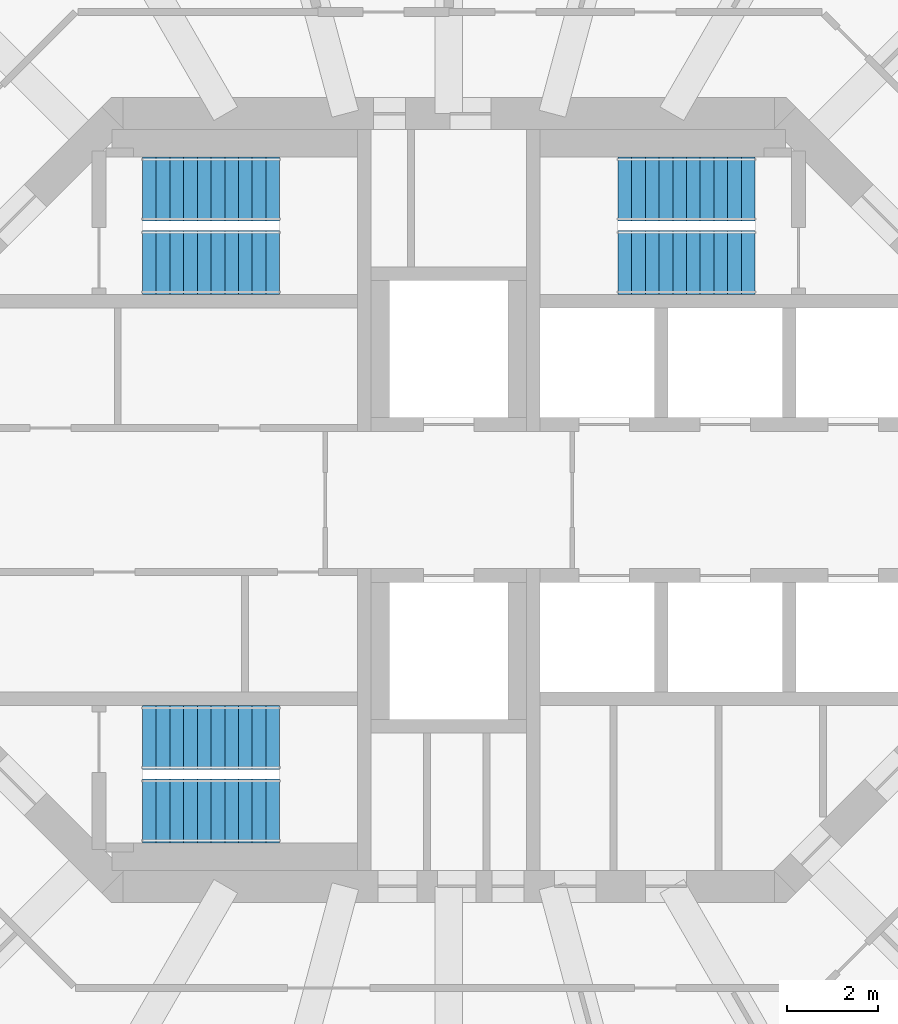
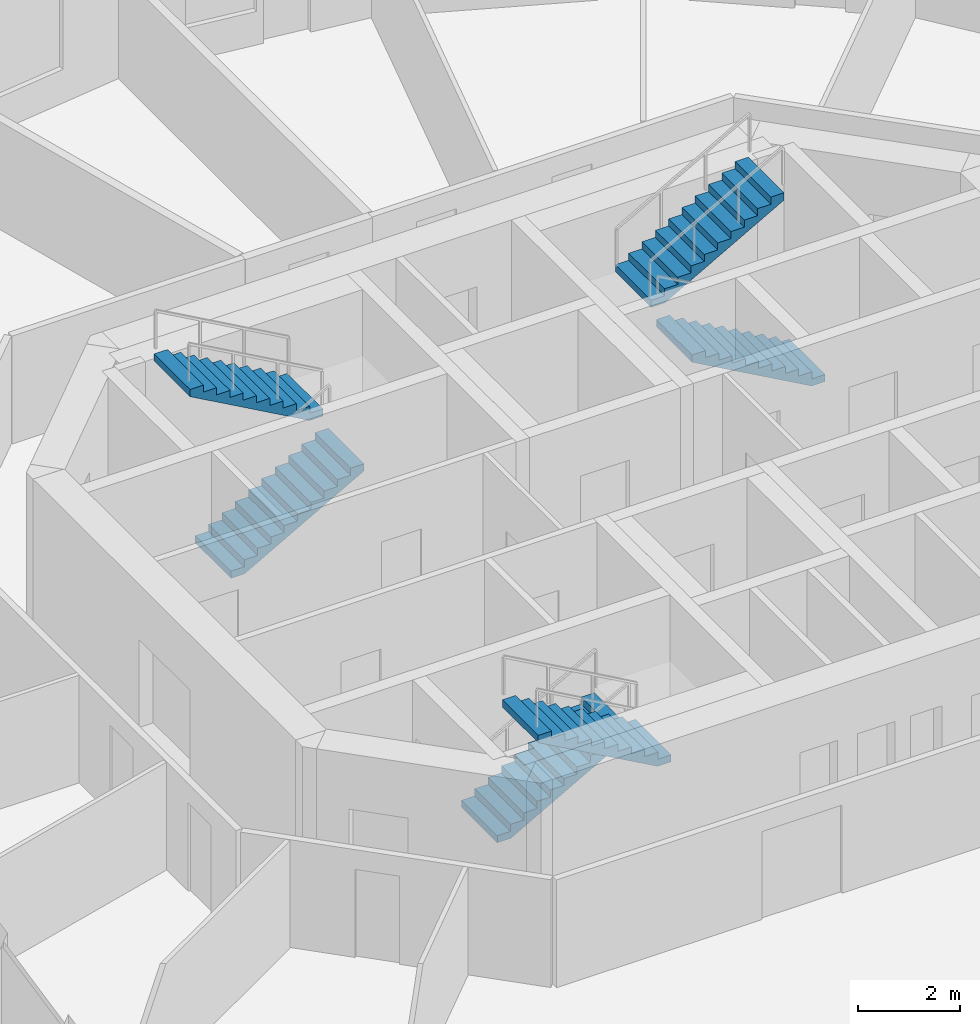
# One storey, part 7 of 9: 6 stair flights, 3 elements without a shape of their own.
"""IFC4 building model written with IfcOpenShell, lengths in metres."""

from ifc_helpers import new_model, si_unit, direction, frame, origin, place, context, subcontext, project, spatial, polyline, outline, extrude, material, type_object, element, aggregate, save


model = new_model("IFC4")

# Units and contexts
model_context = context("Model", 3, precision=1e-05, world=origin(), true_north=direction((0.0, 1.0)))
body_context = subcontext(model_context, "Body", "Model", "MODEL_VIEW")
ifc_project = project(units=[si_unit("LENGTHUNIT", "METRE"), si_unit("AREAUNIT", "SQUARE_METRE"), si_unit("VOLUMEUNIT", "CUBIC_METRE"), si_unit("PLANEANGLEUNIT", "RADIAN"), si_unit("MASSUNIT", "GRAM", prefix="KILO")], contexts=[model_context])

# Site, building, storey
site_placement = place(None, origin())
site = spatial("IfcSite", under=ifc_project, at=site_placement, CompositionType="ELEMENT")
building_placement = place(site_placement, origin())
building = spatial("IfcBuilding", under=site, at=building_placement, Name="Torre Triforio", CompositionType="ELEMENT")
storey_placement = place(building_placement, frame((0.0, 0.0, 226.10009765625)))
storey = spatial("IfcBuildingStorey", under=building, at=storey_placement, Name="L51", CompositionType="ELEMENT", Elevation=226.10009765625)

# Stair, stair flights
ifc_material = material(Name="Concrete C40", Category="concrete")
stair_type = type_object("IfcStairType", Name="STAIR HALF-TURN", PredefinedType="HALF_TURN_STAIR", material=ifc_material)
stair_1_placement = place(storey_placement, origin())
stair_1 = element("IfcStair", 1, at=stair_1_placement, inside=storey, type_object=stair_type, Name="Exit stair 1", PredefinedType="HALF_TURN_STAIR")
stair_flight_type = type_object("IfcStairFlightType", Name="STAIR FLIGHT 1400", PredefinedType="STRAIGHT", material=ifc_material)
stair_flight_1_placement = place(storey_placement, frame((-6.699951171875, 5.199951171875, 0.0), z_axis=(0.0, 0.0, 1.0), x_axis=(1.0, 0.0, 0.0)))
stair_flight_1 = element("IfcStairFlight", 2, at=stair_flight_1_placement, type_object=stair_flight_type, Name="ST1 flight 1", NumberOfRisers=11, NumberOfTreads=10, PredefinedType="STRAIGHT", RiserHeight=0.168181818, TreadLength=0.3, context=body_context, shape_type="SweptSolid", body=[
    extrude(outline(polyline([(0.0, 0.0), (0.0, 0.168212890625), (0.300048828125, 0.168212890625), (0.300048828125, 0.33642578125), (0.60009765625, 0.33642578125), (0.60009765625, 0.504638671875), (0.89990234375, 0.504638671875), (0.89990234375, 0.672607421875), (1.199951171875, 0.672607421875), (1.199951171875, 0.8408203125), (1.5, 0.8408203125), (1.5, 1.009033203125), (1.800048828125, 1.009033203125), (1.800048828125, 1.17724609375), (2.10009765625, 1.17724609375), (2.10009765625, 1.345458984375), (2.39990234375, 1.345458984375), (2.39990234375, 1.513671875), (2.699951171875, 1.513671875), (2.699951171875, 1.681884765625), (3.0, 1.681884765625), (3.0, 1.85009765625), (3.0, 1.510009765625), (0.306640625, 0.0), (0.0, 0.0)])), frame((0.0, 0.699951171875, 0.0), z_axis=(0.0, -1.0, 0.0), x_axis=(1.0, 0.0, 0.0)), (0.0, 0.0, 1.0), 1.39990234375),
])
stair_flight_2_placement = place(storey_placement, frame((-3.699951171875, 6.800048828125, 1.849853515625), z_axis=(0.0, 0.0, 1.0), x_axis=(-1.0, 0.0, 0.0)))
stair_flight_2 = element("IfcStairFlight", 3, at=stair_flight_2_placement, type_object=stair_flight_type, Name="ST1 flight 2", NumberOfRisers=11, NumberOfTreads=10, PredefinedType="STRAIGHT", RiserHeight=0.168181818, TreadLength=0.3, context=body_context, shape_type="SweptSolid", body=[
    extrude(outline(polyline([(0.0, 0.0), (0.0, 0.168212890625), (0.300048828125, 0.168212890625), (0.300048828125, 0.33642578125), (0.60009765625, 0.33642578125), (0.60009765625, 0.504638671875), (0.89990234375, 0.504638671875), (0.89990234375, 0.672607421875), (1.199951171875, 0.672607421875), (1.199951171875, 0.8408203125), (1.5, 0.8408203125), (1.5, 1.009033203125), (1.800048828125, 1.009033203125), (1.800048828125, 1.17724609375), (2.10009765625, 1.17724609375), (2.10009765625, 1.345458984375), (2.39990234375, 1.345458984375), (2.39990234375, 1.513671875), (2.699951171875, 1.513671875), (2.699951171875, 1.681884765625), (3.0, 1.681884765625), (3.0, 1.85009765625), (3.0, 1.510009765625), (0.306640625, 0.0), (0.0, 0.0)])), frame((0.0, 0.699951171875, 0.0), z_axis=(0.0, -1.0, 0.0), x_axis=(1.0, 0.0, 0.0)), (0.0, 0.0, 1.0), 1.39990234375),
])
aggregate(stair_1, [stair_flight_1, stair_flight_2])

stair_2_placement = place(storey_placement, origin())
stair_2 = element("IfcStair", 4, at=stair_2_placement, inside=storey, type_object=stair_type, Name="Exit stair 2", PredefinedType="HALF_TURN_STAIR")
stair_flight_3_placement = place(storey_placement, frame((6.699951171875, 5.199951171875, 0.0), z_axis=(0.0, 0.0, 1.0), x_axis=(-1.0, 0.0, 0.0)))
stair_flight_3 = element("IfcStairFlight", 5, at=stair_flight_3_placement, type_object=stair_flight_type, Name="ST2 flight 1", NumberOfRisers=11, NumberOfTreads=10, PredefinedType="STRAIGHT", RiserHeight=0.168181818, TreadLength=0.3, context=body_context, shape_type="SweptSolid", body=[
    extrude(outline(polyline([(0.0, 0.0), (0.0, 0.168212890625), (0.300048828125, 0.168212890625), (0.300048828125, 0.33642578125), (0.60009765625, 0.33642578125), (0.60009765625, 0.504638671875), (0.89990234375, 0.504638671875), (0.89990234375, 0.672607421875), (1.199951171875, 0.672607421875), (1.199951171875, 0.8408203125), (1.5, 0.8408203125), (1.5, 1.009033203125), (1.800048828125, 1.009033203125), (1.800048828125, 1.17724609375), (2.10009765625, 1.17724609375), (2.10009765625, 1.345458984375), (2.39990234375, 1.345458984375), (2.39990234375, 1.513671875), (2.699951171875, 1.513671875), (2.699951171875, 1.681884765625), (3.0, 1.681884765625), (3.0, 1.85009765625), (3.0, 1.510009765625), (0.306640625, 0.0), (0.0, 0.0)])), frame((0.0, 0.699951171875, 0.0), z_axis=(0.0, -1.0, 0.0), x_axis=(1.0, 0.0, 0.0)), (0.0, 0.0, 1.0), 1.39990234375),
])
stair_flight_4_placement = place(storey_placement, frame((3.699951171875, 6.800048828125, 1.849853515625), z_axis=(0.0, 0.0, 1.0), x_axis=(1.0, 0.0, 0.0)))
stair_flight_4 = element("IfcStairFlight", 6, at=stair_flight_4_placement, type_object=stair_flight_type, Name="ST2 flight 2", NumberOfRisers=11, NumberOfTreads=10, PredefinedType="STRAIGHT", RiserHeight=0.168181818, TreadLength=0.3, context=body_context, shape_type="SweptSolid", body=[
    extrude(outline(polyline([(0.0, 0.0), (0.0, 0.168212890625), (0.300048828125, 0.168212890625), (0.300048828125, 0.33642578125), (0.60009765625, 0.33642578125), (0.60009765625, 0.504638671875), (0.89990234375, 0.504638671875), (0.89990234375, 0.672607421875), (1.199951171875, 0.672607421875), (1.199951171875, 0.8408203125), (1.5, 0.8408203125), (1.5, 1.009033203125), (1.800048828125, 1.009033203125), (1.800048828125, 1.17724609375), (2.10009765625, 1.17724609375), (2.10009765625, 1.345458984375), (2.39990234375, 1.345458984375), (2.39990234375, 1.513671875), (2.699951171875, 1.513671875), (2.699951171875, 1.681884765625), (3.0, 1.681884765625), (3.0, 1.85009765625), (3.0, 1.510009765625), (0.306640625, 0.0), (0.0, 0.0)])), frame((0.0, 0.699951171875, 0.0), z_axis=(0.0, -1.0, 0.0), x_axis=(1.0, 0.0, 0.0)), (0.0, 0.0, 1.0), 1.39990234375),
])
aggregate(stair_2, [stair_flight_3, stair_flight_4])

stair_3_placement = place(storey_placement, origin())
stair_3 = element("IfcStair", 7, at=stair_3_placement, inside=storey, type_object=stair_type, Name="Exit stair 3", PredefinedType="HALF_TURN_STAIR")
stair_flight_5_placement = place(storey_placement, frame((-6.699951171875, -5.199951171875, 0.0), z_axis=(0.0, 0.0, 1.0), x_axis=(1.0, 0.0, 0.0)))
stair_flight_5 = element("IfcStairFlight", 8, at=stair_flight_5_placement, type_object=stair_flight_type, Name="ST3 flight 1", NumberOfRisers=11, NumberOfTreads=10, PredefinedType="STRAIGHT", RiserHeight=0.168181818, TreadLength=0.3, context=body_context, shape_type="SweptSolid", body=[
    extrude(outline(polyline([(0.0, 0.0), (0.0, 0.168212890625), (0.300048828125, 0.168212890625), (0.300048828125, 0.33642578125), (0.60009765625, 0.33642578125), (0.60009765625, 0.504638671875), (0.89990234375, 0.504638671875), (0.89990234375, 0.672607421875), (1.199951171875, 0.672607421875), (1.199951171875, 0.8408203125), (1.5, 0.8408203125), (1.5, 1.009033203125), (1.800048828125, 1.009033203125), (1.800048828125, 1.17724609375), (2.10009765625, 1.17724609375), (2.10009765625, 1.345458984375), (2.39990234375, 1.345458984375), (2.39990234375, 1.513671875), (2.699951171875, 1.513671875), (2.699951171875, 1.681884765625), (3.0, 1.681884765625), (3.0, 1.85009765625), (3.0, 1.510009765625), (0.306640625, 0.0), (0.0, 0.0)])), frame((0.0, 0.699951171875, 0.0), z_axis=(0.0, -1.0, 0.0), x_axis=(1.0, 0.0, 0.0)), (0.0, 0.0, 1.0), 1.39990234375),
])
stair_flight_6_placement = place(storey_placement, frame((-3.699951171875, -6.800048828125, 1.849853515625), z_axis=(0.0, 0.0, 1.0), x_axis=(-1.0, 0.0, 0.0)))
stair_flight_6 = element("IfcStairFlight", 9, at=stair_flight_6_placement, type_object=stair_flight_type, Name="ST3 flight 2", NumberOfRisers=11, NumberOfTreads=10, PredefinedType="STRAIGHT", RiserHeight=0.168181818, TreadLength=0.3, context=body_context, shape_type="SweptSolid", body=[
    extrude(outline(polyline([(0.0, 0.0), (0.0, 0.168212890625), (0.300048828125, 0.168212890625), (0.300048828125, 0.33642578125), (0.60009765625, 0.33642578125), (0.60009765625, 0.504638671875), (0.89990234375, 0.504638671875), (0.89990234375, 0.672607421875), (1.199951171875, 0.672607421875), (1.199951171875, 0.8408203125), (1.5, 0.8408203125), (1.5, 1.009033203125), (1.800048828125, 1.009033203125), (1.800048828125, 1.17724609375), (2.10009765625, 1.17724609375), (2.10009765625, 1.345458984375), (2.39990234375, 1.345458984375), (2.39990234375, 1.513671875), (2.699951171875, 1.513671875), (2.699951171875, 1.681884765625), (3.0, 1.681884765625), (3.0, 1.85009765625), (3.0, 1.510009765625), (0.306640625, 0.0), (0.0, 0.0)])), frame((0.0, 0.699951171875, 0.0), z_axis=(0.0, -1.0, 0.0), x_axis=(1.0, 0.0, 0.0)), (0.0, 0.0, 1.0), 1.39990234375),
])
aggregate(stair_3, [stair_flight_5, stair_flight_6])

save(model, "model.ifc")
